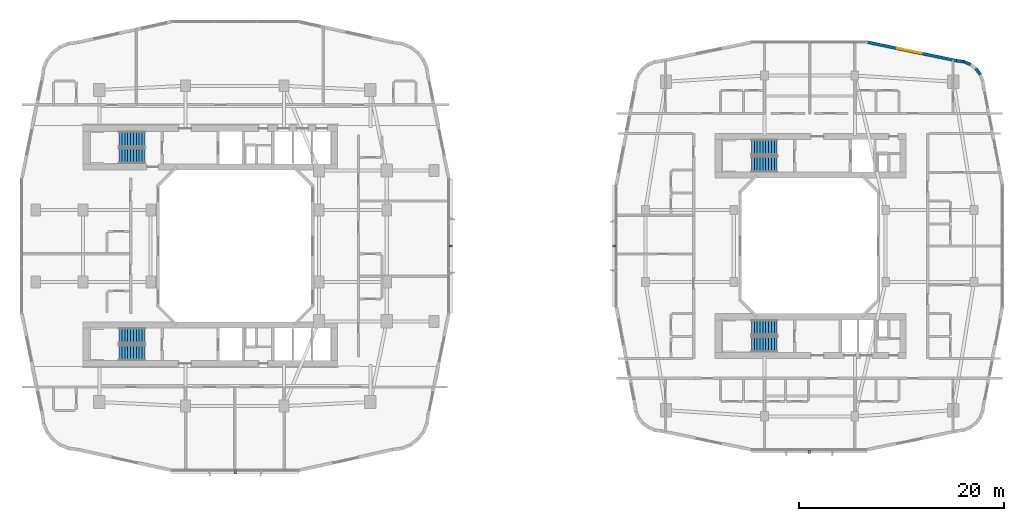
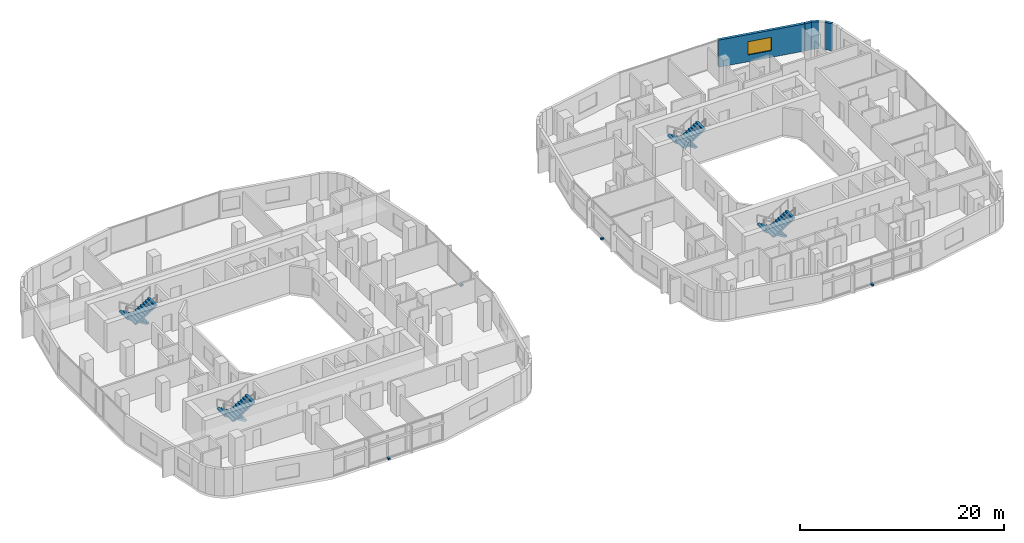
# One storey, part 21 of 26: 8 stair flights, 4 discrete accessories, 4 walls, 1 window, 1 opening, 4 elements without a shape of their own.
"""IFC4 building model written with IfcOpenShell, lengths in metres."""

import ifcopenshell
import ifcopenshell.guid

model = None  # the IFC model being written
_history = None  # IfcOwnerHistory: only IFC2X3 demands one
_inside = {}  # id of a spatial element -> (the spatial element, [elements in it])
_under = {}  # id of a project, library or spatial element -> (it, [spatial elements below it])
_declared = {}  # id of a project -> (the project, [libraries it declares])
_typed = {}  # id of a type object -> (the type object, [elements of that type])
_made_of = {}  # id of a material, layer set ... -> (it, [elements and type objects made of it])


def new_model(schema):
    """Start an empty IFC model of exactly this schema.

    Asked for "IFC4X3", IfcOpenShell would pick the latest addendum, in which some entities
    have other attributes; the version numbers below select the first issue.
    IFC2X3 requires an IfcOwnerHistory on every rooted entity: one is made here for all.
    """
    global model, _history
    if schema == "IFC4X3":
        model = ifcopenshell.file(schema_version=(4, 3, 0, 0))
    else:
        model = ifcopenshell.file(schema=schema)
    _inside.clear()
    _under.clear()
    _declared.clear()
    _typed.clear()
    _made_of.clear()
    _history = None
    if model.schema == "IFC2X3":
        org = make("IfcOrganization", Name="unknown")
        user = make(
            "IfcPersonAndOrganization",
            ThePerson=make("IfcPerson", FamilyName="unknown"),
            TheOrganization=org,
        )
        app = make(
            "IfcApplication",
            ApplicationDeveloper=org,
            Version="unknown",
            ApplicationFullName="unknown",
            ApplicationIdentifier="unknown",
        )
        _history = make(
            "IfcOwnerHistory",
            OwningUser=user,
            OwningApplication=app,
            ChangeAction="ADDED",
            CreationDate=0,
        )
    return model


def make(cls, **values):
    """One entity of the class cls with the attributes given. An attribute that is None is left unset."""
    return model.create_entity(
        cls, **{name: value for name, value in values.items() if value is not None}
    )


def rooted(cls, **values):
    """An entity with a GlobalId (a new one), such as an element, a storey or a relation."""
    return make(cls, GlobalId=ifcopenshell.guid.new(), OwnerHistory=_history, **values)


def si_unit(unit_type, name, prefix=None):
    """IfcSIUnit, for example si_unit("LENGTHUNIT", "METRE", prefix="MILLI")."""
    return make("IfcSIUnit", UnitType=unit_type, Prefix=prefix, Name=name)


def derived_unit(unit_type, elements):
    """IfcDerivedUnit: a product of units, each with its exponent."""
    return make(
        "IfcDerivedUnit",
        Elements=[
            make("IfcDerivedUnitElement", Unit=unit, Exponent=power)
            for unit, power in elements
        ],
        UnitType=unit_type,
    )


def assignment(units):
    """IfcUnitAssignment: the units of a project."""
    return None if units is None else make("IfcUnitAssignment", Units=units)


def point(xyz):
    """IfcCartesianPoint."""
    return None if xyz is None else make("IfcCartesianPoint", Coordinates=xyz)


def direction(xyz):
    """IfcDirection."""
    return None if xyz is None else make("IfcDirection", DirectionRatios=xyz)


def frame(location, z_axis=None, x_axis=None):
    """IfcAxis2Placement3D, a coordinate frame: its origin and axes. An axis left out is left unset."""
    return make(
        "IfcAxis2Placement3D",
        Location=point(location),
        Axis=direction(z_axis),
        RefDirection=direction(x_axis),
    )


def frame_2d(location, x_axis=None):
    """IfcAxis2Placement2D, a coordinate frame in the plane: its origin and x axis."""
    return make(
        "IfcAxis2Placement2D", Location=point(location), RefDirection=direction(x_axis)
    )


def origin():
    """The frame at (0, 0, 0) with its axes left unset."""
    return frame((0.0, 0.0, 0.0))


def origin_2d():
    """The frame at (0, 0) in the plane with its x axis left unset."""
    return frame_2d((0.0, 0.0))


def place(relative_to, where):
    """IfcLocalPlacement: puts the frame where relative to a parent placement (None: the world)."""
    return make(
        "IfcLocalPlacement", PlacementRelTo=relative_to, RelativePlacement=where
    )


def context(
    kind, dimensions, precision=None, world=None, true_north=None, identifier=None
):
    """IfcGeometricRepresentationContext, for example the 3D "Model" context."""
    return make(
        "IfcGeometricRepresentationContext",
        ContextIdentifier=identifier,
        ContextType=kind,
        CoordinateSpaceDimension=dimensions,
        Precision=precision,
        WorldCoordinateSystem=world,
        TrueNorth=true_north,
    )


def subcontext(parent, identifier, kind, view, scale=None):
    """IfcGeometricRepresentationSubContext, for example "Body" below "Model"."""
    return make(
        "IfcGeometricRepresentationSubContext",
        ContextIdentifier=identifier,
        ContextType=kind,
        ParentContext=parent,
        TargetScale=scale,
        TargetView=view,
    )


def project(units=None, contexts=None):
    """IfcProject with its units and contexts."""
    return rooted(
        "IfcProject",
        Name="project",
        RepresentationContexts=contexts,
        UnitsInContext=assignment(units),
    )


def spatial(cls, under=None, at=None, **own):
    """A site, building, storey or space (cls), placed at a placement, below another one or the project."""
    s = rooted(cls, ObjectPlacement=at, **own)
    if under is not None:
        _under.setdefault(under.id(), (under, []))[1].append(s)
    return s


def polyline(points):
    """IfcPolyline through the points."""
    return make("IfcPolyline", Points=[point(p) for p in points])


def profile(cls, at=None, kind="AREA", **sizes):
    """A parametric profile (cls). Its sizes go by their IFC names, for example OverallWidth=200.0."""
    return make(cls, ProfileType=kind, Position=at, **sizes)


def rectangle(**sizes):
    """IfcRectangleProfileDef."""
    return profile("IfcRectangleProfileDef", **sizes)


def outline(outer, holes=None, kind="AREA"):
    """IfcArbitraryClosedProfileDef: a profile drawn as a closed curve; with holes, ...WithVoids."""
    if holes is None:
        return make("IfcArbitraryClosedProfileDef", ProfileType=kind, OuterCurve=outer)
    return make(
        "IfcArbitraryProfileDefWithVoids",
        ProfileType=kind,
        OuterCurve=outer,
        InnerCurves=holes,
    )


def extrude(swept, where, along, depth):
    """IfcExtrudedAreaSolid: the profile swept, set in the frame where, extruded along a direction by depth."""
    return make(
        "IfcExtrudedAreaSolid",
        SweptArea=swept,
        Position=where,
        ExtrudedDirection=direction(along),
        Depth=depth,
    )


def shape(context_of_items, identifier, shape_type, items):
    """IfcShapeRepresentation: the items that make up one representation, for example the "Body"."""
    return make(
        "IfcShapeRepresentation",
        ContextOfItems=context_of_items,
        RepresentationIdentifier=identifier,
        RepresentationType=shape_type,
        Items=items,
    )


def material(Name=None, Category=None):
    """IfcMaterial."""
    return make("IfcMaterial", Name=Name, Category=Category)


def layer(
    of_material, thickness, ventilated=None, Name=None, Category=None, Priority=None
):
    """IfcMaterialLayer: one layer of a wall or slab, of a material (None: an air gap)."""
    return make(
        "IfcMaterialLayer",
        Material=of_material,
        LayerThickness=thickness,
        IsVentilated=ventilated,
        Name=Name,
        Category=Category,
        Priority=Priority,
    )


def layer_set(layers, Name=None):
    """IfcMaterialLayerSet."""
    return make("IfcMaterialLayerSet", MaterialLayers=layers, LayerSetName=Name)


def made_of(thing, what):
    """Note that an element or type object is made of a material, layer set ...; save() writes the relation."""
    if what is not None:
        _made_of.setdefault(what.id(), (what, []))[1].append(thing)
    return thing


def type_object(cls, material=None, **own):
    """A type object (cls), such as IfcWallType, which elements share."""
    return made_of(rooted(cls, **own), material)


def element(
    cls,
    number,
    at=None,
    inside=None,
    cuts=None,
    type_object=None,
    material=None,
    context=None,
    identifier="Body",
    shape_type=None,
    held_by="IfcProductDefinitionShape",
    body=None,
    shapes=None,
    **own,
):
    """One element of the class cls, such as IfcWall. Its Tag is "e" and its number.

    at: its placement. inside: the storey or other place that contains it. cuts: it is an
    opening in that element (IfcRelVoidsElement). A single representation is given by context,
    identifier, shape_type and body (its items); several are given by shapes. held_by: the class
    of the entity that holds the representations. save() writes the other relations.
    """
    e = rooted(cls, Tag="e%d" % number, ObjectPlacement=at, **own)
    if body is not None:
        shapes = [shape(context, identifier, shape_type, body)]
    if shapes is not None:
        e.Representation = make(held_by, Representations=shapes)
    if inside is not None:
        _inside.setdefault(inside.id(), (inside, []))[1].append(e)
    if cuts is not None:
        rooted(
            "IfcRelVoidsElement", RelatingBuildingElement=cuts, RelatedOpeningElement=e
        )
    if type_object is not None:
        _typed.setdefault(type_object.id(), (type_object, []))[1].append(e)
    return made_of(e, material)


def fill(opening, filler):
    """IfcRelFillsElement: the door or window that sits in an opening."""
    return rooted(
        "IfcRelFillsElement",
        RelatingOpeningElement=opening,
        RelatedBuildingElement=filler,
    )


def aggregate(whole, parts):
    """IfcRelAggregates: a whole, such as a stair, and the parts it consists of."""
    return rooted("IfcRelAggregates", RelatingObject=whole, RelatedObjects=parts)


def save(model, path):
    """Write the relations noted so far, then the file.

    IfcRelAggregates (storeys below a building ...), IfcRelContainedInSpatialStructure (elements
    in a storey), IfcRelDefinesByType, IfcRelAssociatesMaterial and IfcRelDeclares: one each for
    every whole, place, type object, material and project.
    """
    for whole, parts in _under.values():
        aggregate(whole, parts)
    for where, things in _inside.values():
        rooted(
            "IfcRelContainedInSpatialStructure",
            RelatedElements=things,
            RelatingStructure=where,
        )
    for kind, things in _typed.values():
        rooted("IfcRelDefinesByType", RelatedObjects=things, RelatingType=kind)
    for what, things in _made_of.values():
        rooted("IfcRelAssociatesMaterial", RelatedObjects=things, RelatingMaterial=what)
    for by, libraries in _declared.values():
        rooted("IfcRelDeclares", RelatingContext=by, RelatedDefinitions=libraries)
    model.write(path)


model = new_model("IFC4")

# Units and contexts
model_context = context("Model", 3, precision=1e-05, world=origin(), true_north=direction((0.0, 1.0)))
body_context = subcontext(model_context, "Body", "Model", "MODEL_VIEW")
ifc_project = project(units=[si_unit("LENGTHUNIT", "METRE"), si_unit("AREAUNIT", "SQUARE_METRE"), si_unit("VOLUMEUNIT", "CUBIC_METRE"), si_unit("PLANEANGLEUNIT", "RADIAN"), si_unit("MASSUNIT", "GRAM", prefix="KILO"), derived_unit("THERMALTRANSMITTANCEUNIT", [(si_unit("POWERUNIT", "WATT"), 1), (si_unit("LENGTHUNIT", "METRE"), -2), (si_unit("THERMODYNAMICTEMPERATUREUNIT", "KELVIN"), -1)])], contexts=[model_context])

# Site, building, storey
site_placement = place(None, origin())
site = spatial("IfcSite", under=ifc_project, at=site_placement, CompositionType="ELEMENT")
building_placement = place(site_placement, origin())
building = spatial("IfcBuilding", under=site, at=building_placement, Name="Kivonza Crest Hotel", CompositionType="ELEMENT")
storey_placement = place(building_placement, frame((0.0, 0.0, 55.5)))
storey = spatial("IfcBuildingStorey", under=building, at=storey_placement, Name="L14", CompositionType="ELEMENT", Elevation=55.5)

# Walls
ifc_material_1 = material(Name="Precast concrete C40/50", Category="concrete")
ifc_layer = layer(ifc_material_1, 0.300048828125)
ifc_layer_set = layer_set([ifc_layer], Name="Precast concrete C40/50")
wall_type = type_object("IfcWallType", Name="WL-EXT-300", PredefinedType="STANDARD", material=ifc_layer_set)
wall_1_placement = place(storey_placement, frame((93.64111328125, 41.68896484375, 0.0), z_axis=(0.0, 0.0, 1.0), x_axis=(-0.608603261071, 0.793474681772, 0.0)))
element("IfcWall", 1, at=wall_1_placement, inside=storey, type_object=wall_type, Name="L14 T2 exterior insulated wall 21", PredefinedType="STANDARD", context=body_context, shape_type="SweptSolid", body=[
    extrude(rectangle(XDim=0.74609375, YDim=0.300048828125, at=frame_2d((0.373046875, 0.0))), origin(), (0.0, 0.0, 1.0), 3.25),
])
wall_2_placement = place(storey_placement, frame((92.68603515625, 42.676025390625, 0.0), z_axis=(0.0, 0.0, 1.0), x_axis=(-0.923637576129, 0.383267045233, 0.0)))
element("IfcWall", 2, at=wall_2_placement, inside=storey, type_object=wall_type, Name="L14 T2 exterior insulated wall 23", PredefinedType="STANDARD", context=body_context, shape_type="SweptSolid", body=[
    extrude(rectangle(XDim=0.745849609375, YDim=0.300048828125, at=frame_2d((0.373046875, 0.0))), origin(), (0.0, 0.0, 1.0), 3.25),
])
wall_3_placement = place(storey_placement, frame((92.051025390625, 42.952880859375, 0.0), z_axis=(0.0, 0.0, 1.0), x_axis=(-0.991559404866, 0.129653178221, 0.0)))
element("IfcWall", 3, at=wall_3_placement, inside=storey, type_object=wall_type, Name="L14 T2 exterior insulated wall 24", PredefinedType="STANDARD", context=body_context, shape_type="SweptSolid", body=[
    extrude(rectangle(XDim=0.764404296875, YDim=0.300048828125, at=frame_2d((0.38232421875, 0.0))), origin(), (0.0, 0.0, 1.0), 3.25),
])

# Wall, opening, window
wall_4_placement = place(storey_placement, frame((91.298095703125, 43.051025390625, 0.0), z_axis=(0.0, 0.0, 1.0), x_axis=(-0.979128391325, 0.203242695569, 0.0)))
wall_4 = element("IfcWall", 4, at=wall_4_placement, inside=storey, type_object=wall_type, Name="L14 T2 exterior insulated wall 25", PredefinedType="STANDARD", context=body_context, shape_type="SweptSolid", body=[
    extrude(rectangle(XDim=8.92041015625, YDim=0.300048828125, at=frame_2d((4.460205078125, 0.0))), origin(), (0.0, 0.0, 1.0), 3.25),
])
opening_placement = place(wall_4_placement, frame((3.471923828125, 0.0, 0.800048828125)))
opening = element("IfcOpeningElement", 5, at=opening_placement, cuts=wall_4, Name="Opening WN-05", PredefinedType="OPENING", context=body_context, shape_type="SweptSolid", body=[
    extrude(rectangle(XDim=2.39990234375, YDim=1.60009765625, at=frame_2d((1.199951171875, 0.800048828125))), frame((0.0, 0.16015625, 0.0), z_axis=(0.0, -1.0, 0.0), x_axis=(1.0, 0.0, 0.0)), (0.0, 0.0, 1.0), 0.320068359375),
])
ifc_material_2 = material(Name="Thermally broken bronze aluminium and low-E double glazing", Category="aluminium")
window_type = type_object("IfcWindowType", Name="WN-240x160", PartitioningType="TRIPLE_PANEL_VERTICAL", PredefinedType="WINDOW", material=ifc_material_2)
window_placement = place(opening_placement, origin())
window = element("IfcWindow", 6, at=window_placement, inside=storey, type_object=window_type, Name="L14 T2 facade window 25", OverallHeight=1.60009765625, OverallWidth=2.39990234375, PartitioningType="SINGLE_PANEL", PredefinedType="WINDOW", context=body_context, shape_type="SweptSolid", body=[
    extrude(rectangle(XDim=2.39990234375, YDim=1.60009765625, at=frame_2d((1.199951171875, 0.800048828125))), frame((0.0, 0.030029296875, 0.0), z_axis=(0.0, -1.0, 0.0), x_axis=(1.0, 0.0, 0.0)), (0.0, 0.0, 1.0), 0.06005859375),
])
fill(opening, window)

# Stair, stair flights
ifc_material_3 = material(Name="Concrete C40/50", Category="concrete")
stair_type = type_object("IfcStairType", Name="ST-DL-20R", PredefinedType="HALF_TURN_STAIR", material=ifc_material_3)
stair_1_placement = place(storey_placement, origin())
stair_1 = element("IfcStair", 7, at=stair_1_placement, inside=storey, type_object=stair_type, Name="L14 Protected Exit Stair ST-T1-N", PredefinedType="HALF_TURN_STAIR")
stair_flight_type = type_object("IfcStairFlightType", Name="SFL-RC-10R", PredefinedType="STRAIGHT", material=ifc_material_3)
stair_flight_1_placement = place(storey_placement, frame((12.239990234375, 35.409912109375, 0.0), z_axis=(0.0, 0.0, 1.0), x_axis=(-1.0, 0.0, 0.0)))
stair_flight_1 = element("IfcStairFlight", 8, at=stair_flight_1_placement, type_object=stair_flight_type, Name="ST-T1-N flight 1", NumberOfRisers=10, NumberOfTreads=9, PredefinedType="STRAIGHT", RiserHeight=0.175, TreadLength=0.28, context=body_context, shape_type="SweptSolid", body=[
    extrude(outline(polyline([(0.0, 0.0), (0.0, 0.175048828125), (0.280029296875, 0.175048828125), (0.280029296875, 0.35009765625), (0.56005859375, 0.35009765625), (0.56005859375, 0.52490234375), (0.840087890625, 0.52490234375), (0.840087890625, 0.699951171875), (1.1201171875, 0.699951171875), (1.1201171875, 0.875), (1.39990234375, 0.875), (1.39990234375, 1.050048828125), (1.679931640625, 1.050048828125), (1.679931640625, 1.22509765625), (1.9599609375, 1.22509765625), (1.9599609375, 1.39990234375), (2.239990234375, 1.39990234375), (2.239990234375, 1.574951171875), (2.52001953125, 1.574951171875), (2.52001953125, 1.75), (2.52001953125, 1.398193359375), (0.28271484375, 0.0), (0.0, 0.0)])), frame((0.0, 0.75, 0.0), z_axis=(0.0, -1.0, 0.0), x_axis=(1.0, 0.0, 0.0)), (0.0, 0.0, 1.0), 1.5),
])
stair_flight_2_placement = place(storey_placement, frame((9.719970703125, 33.77001953125, 1.75), z_axis=(0.0, 0.0, 1.0), x_axis=(1.0, 0.0, 0.0)))
stair_flight_2 = element("IfcStairFlight", 9, at=stair_flight_2_placement, type_object=stair_flight_type, Name="ST-T1-N flight 2", NumberOfRisers=10, NumberOfTreads=9, PredefinedType="STRAIGHT", RiserHeight=0.175, TreadLength=0.28, context=body_context, shape_type="SweptSolid", body=[
    extrude(outline(polyline([(0.0, 0.0), (0.0, 0.175048828125), (0.280029296875, 0.175048828125), (0.280029296875, 0.35009765625), (0.56005859375, 0.35009765625), (0.56005859375, 0.52490234375), (0.840087890625, 0.52490234375), (0.840087890625, 0.699951171875), (1.1201171875, 0.699951171875), (1.1201171875, 0.875), (1.39990234375, 0.875), (1.39990234375, 1.050048828125), (1.679931640625, 1.050048828125), (1.679931640625, 1.22509765625), (1.9599609375, 1.22509765625), (1.9599609375, 1.39990234375), (2.239990234375, 1.39990234375), (2.239990234375, 1.574951171875), (2.52001953125, 1.574951171875), (2.52001953125, 1.75), (2.52001953125, 1.398193359375), (0.28271484375, 0.0), (0.0, 0.0)])), frame((0.0, 0.75, 0.0), z_axis=(0.0, -1.0, 0.0), x_axis=(1.0, 0.0, 0.0)), (0.0, 0.0, 1.0), 1.5),
])
aggregate(stair_1, [stair_flight_1, stair_flight_2])

stair_2_placement = place(storey_placement, origin())
stair_2 = element("IfcStair", 10, at=stair_2_placement, inside=storey, type_object=stair_type, Name="L14 Protected Exit Stair ST-T1-S", PredefinedType="HALF_TURN_STAIR")
stair_flight_3_placement = place(storey_placement, frame((12.239990234375, 16.25, 0.0), z_axis=(0.0, 0.0, 1.0), x_axis=(-1.0, 0.0, 0.0)))
stair_flight_3 = element("IfcStairFlight", 11, at=stair_flight_3_placement, type_object=stair_flight_type, Name="ST-T1-S flight 1", NumberOfRisers=10, NumberOfTreads=9, PredefinedType="STRAIGHT", RiserHeight=0.175, TreadLength=0.28, context=body_context, shape_type="SweptSolid", body=[
    extrude(outline(polyline([(0.0, 0.0), (0.0, 0.175048828125), (0.280029296875, 0.175048828125), (0.280029296875, 0.35009765625), (0.56005859375, 0.35009765625), (0.56005859375, 0.52490234375), (0.840087890625, 0.52490234375), (0.840087890625, 0.699951171875), (1.1201171875, 0.699951171875), (1.1201171875, 0.875), (1.39990234375, 0.875), (1.39990234375, 1.050048828125), (1.679931640625, 1.050048828125), (1.679931640625, 1.22509765625), (1.9599609375, 1.22509765625), (1.9599609375, 1.39990234375), (2.239990234375, 1.39990234375), (2.239990234375, 1.574951171875), (2.52001953125, 1.574951171875), (2.52001953125, 1.75), (2.52001953125, 1.398193359375), (0.28271484375, 0.0), (0.0, 0.0)])), frame((0.0, 0.75, 0.0), z_axis=(0.0, -1.0, 0.0), x_axis=(1.0, 0.0, 0.0)), (0.0, 0.0, 1.0), 1.5),
])
stair_flight_4_placement = place(storey_placement, frame((9.719970703125, 14.610107421875, 1.75), z_axis=(0.0, 0.0, 1.0), x_axis=(1.0, 0.0, 0.0)))
stair_flight_4 = element("IfcStairFlight", 12, at=stair_flight_4_placement, type_object=stair_flight_type, Name="ST-T1-S flight 2", NumberOfRisers=10, NumberOfTreads=9, PredefinedType="STRAIGHT", RiserHeight=0.175, TreadLength=0.28, context=body_context, shape_type="SweptSolid", body=[
    extrude(outline(polyline([(0.0, 0.0), (0.0, 0.175048828125), (0.280029296875, 0.175048828125), (0.280029296875, 0.35009765625), (0.56005859375, 0.35009765625), (0.56005859375, 0.52490234375), (0.840087890625, 0.52490234375), (0.840087890625, 0.699951171875), (1.1201171875, 0.699951171875), (1.1201171875, 0.875), (1.39990234375, 0.875), (1.39990234375, 1.050048828125), (1.679931640625, 1.050048828125), (1.679931640625, 1.22509765625), (1.9599609375, 1.22509765625), (1.9599609375, 1.39990234375), (2.239990234375, 1.39990234375), (2.239990234375, 1.574951171875), (2.52001953125, 1.574951171875), (2.52001953125, 1.75), (2.52001953125, 1.398193359375), (0.28271484375, 0.0), (0.0, 0.0)])), frame((0.0, 0.75, 0.0), z_axis=(0.0, -1.0, 0.0), x_axis=(1.0, 0.0, 0.0)), (0.0, 0.0, 1.0), 1.5),
])
aggregate(stair_2, [stair_flight_3, stair_flight_4])

stair_3_placement = place(storey_placement, origin())
stair_3 = element("IfcStair", 13, at=stair_3_placement, inside=storey, type_object=stair_type, Name="L14 Protected Exit Stair ST-T2-N", PredefinedType="HALF_TURN_STAIR")
stair_flight_5_placement = place(storey_placement, frame((73.840087890625, 34.610107421875, 0.0), z_axis=(0.0, 0.0, 1.0), x_axis=(-1.0, 0.0, 0.0)))
stair_flight_5 = element("IfcStairFlight", 14, at=stair_flight_5_placement, type_object=stair_flight_type, Name="ST-T2-N flight 1", NumberOfRisers=10, NumberOfTreads=9, PredefinedType="STRAIGHT", RiserHeight=0.175, TreadLength=0.28, context=body_context, shape_type="SweptSolid", body=[
    extrude(outline(polyline([(0.0, 0.0), (0.0, 0.175048828125), (0.280029296875, 0.175048828125), (0.280029296875, 0.35009765625), (0.56005859375, 0.35009765625), (0.56005859375, 0.52490234375), (0.840087890625, 0.52490234375), (0.840087890625, 0.699951171875), (1.1201171875, 0.699951171875), (1.1201171875, 0.875), (1.39990234375, 0.875), (1.39990234375, 1.050048828125), (1.679931640625, 1.050048828125), (1.679931640625, 1.22509765625), (1.9599609375, 1.22509765625), (1.9599609375, 1.39990234375), (2.239990234375, 1.39990234375), (2.239990234375, 1.574951171875), (2.52001953125, 1.574951171875), (2.52001953125, 1.75), (2.52001953125, 1.398193359375), (0.28271484375, 0.0), (0.0, 0.0)])), frame((0.0, 0.75, 0.0), z_axis=(0.0, -1.0, 0.0), x_axis=(1.0, 0.0, 0.0)), (0.0, 0.0, 1.0), 1.5),
])
stair_flight_6_placement = place(storey_placement, frame((71.320068359375, 32.969970703125, 1.75), z_axis=(0.0, 0.0, 1.0), x_axis=(1.0, 0.0, 0.0)))
stair_flight_6 = element("IfcStairFlight", 15, at=stair_flight_6_placement, type_object=stair_flight_type, Name="ST-T2-N flight 2", NumberOfRisers=10, NumberOfTreads=9, PredefinedType="STRAIGHT", RiserHeight=0.175, TreadLength=0.28, context=body_context, shape_type="SweptSolid", body=[
    extrude(outline(polyline([(0.0, 0.0), (0.0, 0.175048828125), (0.280029296875, 0.175048828125), (0.280029296875, 0.35009765625), (0.56005859375, 0.35009765625), (0.56005859375, 0.52490234375), (0.840087890625, 0.52490234375), (0.840087890625, 0.699951171875), (1.1201171875, 0.699951171875), (1.1201171875, 0.875), (1.39990234375, 0.875), (1.39990234375, 1.050048828125), (1.679931640625, 1.050048828125), (1.679931640625, 1.22509765625), (1.9599609375, 1.22509765625), (1.9599609375, 1.39990234375), (2.239990234375, 1.39990234375), (2.239990234375, 1.574951171875), (2.52001953125, 1.574951171875), (2.52001953125, 1.75), (2.52001953125, 1.398193359375), (0.28271484375, 0.0), (0.0, 0.0)])), frame((0.0, 0.75, 0.0), z_axis=(0.0, -1.0, 0.0), x_axis=(1.0, 0.0, 0.0)), (0.0, 0.0, 1.0), 1.5),
])
aggregate(stair_3, [stair_flight_5, stair_flight_6])

stair_4_placement = place(storey_placement, origin())
stair_4 = element("IfcStair", 16, at=stair_4_placement, inside=storey, type_object=stair_type, Name="L14 Protected Exit Stair ST-T2-S", PredefinedType="HALF_TURN_STAIR")
stair_flight_7_placement = place(storey_placement, frame((73.840087890625, 17.050048828125, 0.0), z_axis=(0.0, 0.0, 1.0), x_axis=(-1.0, 0.0, 0.0)))
stair_flight_7 = element("IfcStairFlight", 17, at=stair_flight_7_placement, type_object=stair_flight_type, Name="ST-T2-S flight 1", NumberOfRisers=10, NumberOfTreads=9, PredefinedType="STRAIGHT", RiserHeight=0.175, TreadLength=0.28, context=body_context, shape_type="SweptSolid", body=[
    extrude(outline(polyline([(0.0, 0.0), (0.0, 0.175048828125), (0.280029296875, 0.175048828125), (0.280029296875, 0.35009765625), (0.56005859375, 0.35009765625), (0.56005859375, 0.52490234375), (0.840087890625, 0.52490234375), (0.840087890625, 0.699951171875), (1.1201171875, 0.699951171875), (1.1201171875, 0.875), (1.39990234375, 0.875), (1.39990234375, 1.050048828125), (1.679931640625, 1.050048828125), (1.679931640625, 1.22509765625), (1.9599609375, 1.22509765625), (1.9599609375, 1.39990234375), (2.239990234375, 1.39990234375), (2.239990234375, 1.574951171875), (2.52001953125, 1.574951171875), (2.52001953125, 1.75), (2.52001953125, 1.398193359375), (0.28271484375, 0.0), (0.0, 0.0)])), frame((0.0, 0.75, 0.0), z_axis=(0.0, -1.0, 0.0), x_axis=(1.0, 0.0, 0.0)), (0.0, 0.0, 1.0), 1.5),
])
stair_flight_8_placement = place(storey_placement, frame((71.320068359375, 15.409912109375, 1.75), z_axis=(0.0, 0.0, 1.0), x_axis=(1.0, 0.0, 0.0)))
stair_flight_8 = element("IfcStairFlight", 18, at=stair_flight_8_placement, type_object=stair_flight_type, Name="ST-T2-S flight 2", NumberOfRisers=10, NumberOfTreads=9, PredefinedType="STRAIGHT", RiserHeight=0.175, TreadLength=0.28, context=body_context, shape_type="SweptSolid", body=[
    extrude(outline(polyline([(0.0, 0.0), (0.0, 0.175048828125), (0.280029296875, 0.175048828125), (0.280029296875, 0.35009765625), (0.56005859375, 0.35009765625), (0.56005859375, 0.52490234375), (0.840087890625, 0.52490234375), (0.840087890625, 0.699951171875), (1.1201171875, 0.699951171875), (1.1201171875, 0.875), (1.39990234375, 0.875), (1.39990234375, 1.050048828125), (1.679931640625, 1.050048828125), (1.679931640625, 1.22509765625), (1.9599609375, 1.22509765625), (1.9599609375, 1.39990234375), (2.239990234375, 1.39990234375), (2.239990234375, 1.574951171875), (2.52001953125, 1.574951171875), (2.52001953125, 1.75), (2.52001953125, 1.398193359375), (0.28271484375, 0.0), (0.0, 0.0)])), frame((0.0, 0.75, 0.0), z_axis=(0.0, -1.0, 0.0), x_axis=(1.0, 0.0, 0.0)), (0.0, 0.0, 1.0), 1.5),
])
aggregate(stair_4, [stair_flight_7, stair_flight_8])

# Discrete accessories
ifc_material_4 = material(Name="Stainless steel 316", Category="steel")
discrete_accessory_type = type_object("IfcDiscreteAccessoryType", Name="AC-BRACKET-240", PredefinedType="BRACKET", material=ifc_material_4)
for number, where, z_axis, x_axis, name in (
    (19, (21.0400390625, 2.9599609375, -0.009765625), (0.0, 0.0, 1.0), (1.0, 0.0, 0.0), "L14 terracotta baguette support bracket CW-T1-L14-08"),
    (20, (42.0400390625, 25.0, -0.009765625), (0.0, 0.0, 1.0), (0.0, 1.0, 0.0), "L14 terracotta baguette support bracket CW-T1-L14-17"),
    (21, (76.9599609375, 4.9599609375, -0.009765625), (0.0, 0.0, 1.0), (1.0, 0.0, 0.0), "L14 terracotta baguette support bracket CW-T2-L14-08"),
    (22, (57.9599609375, 25.0, -0.009765625), (0.0, 0.0, 1.0), (0.0, -1.0, 0.0), "L14 terracotta baguette support bracket CW-T2-L14-35"),
):
    element("IfcDiscreteAccessory", number, at=place(storey_placement, frame(where, z_axis=z_axis, x_axis=x_axis)), inside=storey, type_object=discrete_accessory_type, Name=name, PredefinedType="BRACKET", context=body_context, shape_type="SweptSolid", body=[
        extrude(rectangle(XDim=0.219970703125, YDim=0.340087890625, at=origin_2d()), origin(), (0.0, 0.0, 1.0), 0.179931640625),
    ])

save(model, "model.ifc")
